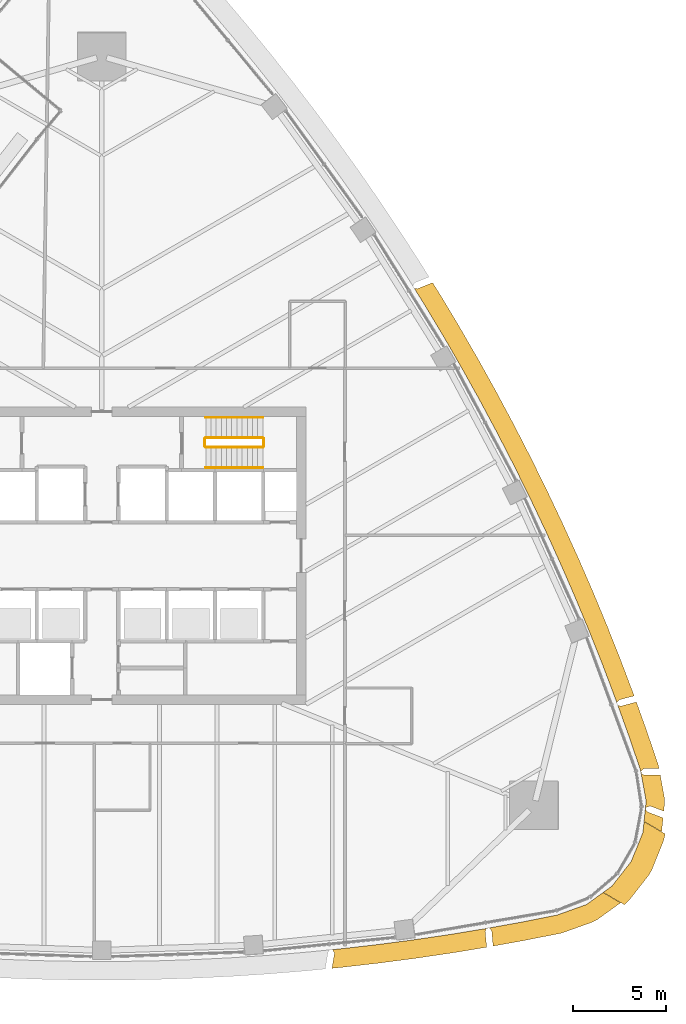
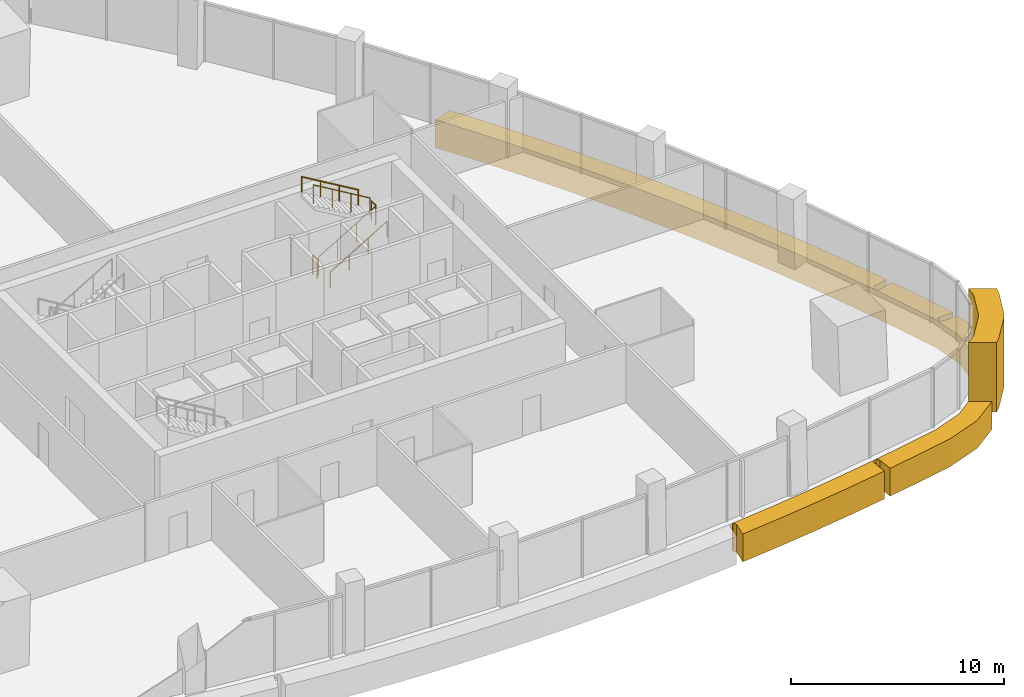
# One storey, part 16 of 18: 6 railings, 3 coverings.
"""IFC4 building model written with IfcOpenShell, lengths in metres."""

from ifc_helpers import new_model, si_unit, direction, frame, origin, origin_2d, place, context, subcontext, project, spatial, polyline, circle, outline, extrude, material, layer, layer_set, type_object, element, save


model = new_model("IFC4")

# Units and contexts
model_context = context("Model", 3, precision=1e-05, world=origin(), true_north=direction((0.0, 1.0)))
body_context = subcontext(model_context, "Body", "Model", "MODEL_VIEW")
ifc_project = project(units=[si_unit("LENGTHUNIT", "METRE"), si_unit("AREAUNIT", "SQUARE_METRE"), si_unit("VOLUMEUNIT", "CUBIC_METRE"), si_unit("PLANEANGLEUNIT", "RADIAN"), si_unit("MASSUNIT", "GRAM", prefix="KILO")], contexts=[model_context])

# Site, building, storey
site_placement = place(None, origin())
site = spatial("IfcSite", under=ifc_project, at=site_placement, CompositionType="ELEMENT")
building_placement = place(site_placement, origin())
building = spatial("IfcBuilding", under=site, at=building_placement, Name="Sierra Prisma Convention Tower", CompositionType="ELEMENT")
storey_placement = place(building_placement, frame((0.0, 0.0, 189.800048828125)))
storey = spatial("IfcBuildingStorey", under=building, at=storey_placement, Name="L42", CompositionType="ELEMENT", Elevation=189.800048828125)

# Coverings
ifc_material_1 = material(Name="Aluminium composite bronze anodised", Category="aluminium")
ifc_layer_1 = layer(ifc_material_1, 1.199951171875)
ifc_layer_set_1 = layer_set([ifc_layer_1], Name="Bronze corner pier")
covering_type_1 = type_object("IfcCoveringType", Name="Bronze corner pier", PredefinedType="CLADDING", material=ifc_layer_set_1)
covering_1_placement = place(storey_placement, frame((0.0, 0.0, -0.60009765625)))
element("IfcCovering", 1, at=covering_1_placement, inside=storey, type_object=covering_type_1, Name="Corner pier SE L42.1", PredefinedType="CLADDING", context=body_context, shape_type="SweptSolid", body=[
    extrude(outline(polyline([(29.2099609375, -14.323974609375), (30.34912109375, -14.981689453125), (30.34521484375, -15.019287109375), (30.2646484375, -15.345947265625), (29.6328125, -16.914306640625), (29.464599609375, -17.205810546875), (28.42236328125, -18.536865234375), (28.1796875, -18.77001953125), (28.149169921875, -18.792236328125), (27.010009765625, -18.134521484375), (27.4775390625, -17.797119140625), (28.519775390625, -16.4658203125), (29.151611328125, -14.897705078125), (29.2099609375, -14.323974609375)])), origin(), (0.0, 0.0, 1.0), 4.0),
])
ifc_material_2 = material(Name="Aluminium composite bronze anodised", Category="aluminium")
ifc_layer_2 = layer(ifc_material_2, 1.0)
ifc_layer_set_2 = layer_set([ifc_layer_2], Name="Bronze spandrel band")
covering_type_2 = type_object("IfcCoveringType", Name="Bronze spandrel band", PredefinedType="CLADDING", material=ifc_layer_set_2)
covering_2_placement = place(storey_placement, frame((0.0, 0.0, -1.60009765625)))
element("IfcCovering", 2, at=covering_2_placement, inside=storey, type_object=covering_type_2, Name="Spandrel band L42.4", PredefinedType="CLADDING", context=body_context, shape_type="SweptSolid", body=[
    extrude(outline(polyline([(21.2578125, 8.815673828125), (22.189208984375, 7.074462890625), (22.196533203125, 7.06005859375), (23.099609375, 5.3037109375), (23.106689453125, 5.289306640625), (23.98095703125, 3.5185546875), (23.988037109375, 3.50390625), (24.83349609375, 1.71923828125), (24.84033203125, 1.70458984375), (25.656494140625, -0.093505859375), (25.6630859375, -0.1083984375), (26.449951171875, -1.919677734375), (26.456298828125, -1.9345703125), (27.213623046875, -3.75830078125), (27.2197265625, -3.773193359375), (27.947509765625, -5.60888671875), (27.953369140625, -5.624267578125), (28.65087890625, -7.471435546875), (28.656494140625, -7.48681640625), (28.678466796875, -7.54736328125), (27.89208984375, -7.754638671875), (27.88720703125, -7.756103515625), (27.882568359375, -7.75830078125), (27.878173828125, -7.760498046875), (27.8740234375, -7.763427734375), (27.870361328125, -7.766845703125), (27.86669921875, -7.7705078125), (27.768798828125, -7.885009765625), (27.765869140625, -7.888671875), (27.76318359375, -7.892578125), (27.76123046875, -7.89697265625), (27.759521484375, -7.9013671875), (27.758056640625, -7.906005859375), (27.757080078125, -7.91064453125), (27.7568359375, -7.91552734375), (27.7568359375, -7.92041015625), (27.75732421875, -7.925048828125), (27.75830078125, -7.9296875), (27.759765625, -7.934326171875), (27.793701171875, -8.0283203125), (27.79541015625, -8.032958984375), (27.797607421875, -8.037109375), (27.80029296875, -8.041259765625), (27.803466796875, -8.044921875), (27.806884765625, -8.04833984375), (27.810546875, -8.051513671875), (27.814697265625, -8.05419921875), (27.81884765625, -8.056640625), (27.823486328125, -8.05859375), (27.827880859375, -8.059814453125), (27.955810546875, -8.093017578125), (27.9609375, -8.09423828125), (27.966064453125, -8.0947265625), (27.97119140625, -8.0947265625), (27.976318359375, -8.093994140625), (27.981201171875, -8.093017578125), (28.797119140625, -7.8779296875), (29.32421875, -9.34521484375), (29.32958984375, -9.360595703125), (29.966796875, -11.2294921875), (30.00439453125, -11.37353515625), (30.02001953125, -11.458984375), (29.228515625, -11.463134765625), (29.223876953125, -11.46337890625), (29.21923828125, -11.464111328125), (29.214599609375, -11.465087890625), (29.210205078125, -11.466796875), (29.2060546875, -11.468505859375), (29.201904296875, -11.470947265625), (29.1982421875, -11.4736328125), (29.072021484375, -11.57080078125), (29.068115234375, -11.57421875), (29.064697265625, -11.57763671875), (29.0615234375, -11.58154296875), (29.058837890625, -11.585693359375), (29.056640625, -11.590087890625), (29.054931640625, -11.5947265625), (29.0537109375, -11.599609375), (29.052734375, -11.6044921875), (29.052490234375, -11.609619140625), (29.052490234375, -11.614501953125), (29.05322265625, -11.619384765625), (29.071044921875, -11.7177734375), (29.072265625, -11.722900390625), (29.073974609375, -11.727783203125), (29.076171875, -11.732421875), (29.078857421875, -11.73681640625), (29.08203125, -11.740966796875), (29.08544921875, -11.74462890625), (29.08935546875, -11.748046875), (29.093505859375, -11.751220703125), (29.09814453125, -11.753662109375), (29.2080078125, -11.80810546875), (29.212158203125, -11.809814453125), (29.216552734375, -11.811279296875), (29.22119140625, -11.8125), (29.2255859375, -11.81298828125), (29.23046875, -11.813232421875), (30.08349609375, -11.80859375), (30.306640625, -13.036865234375), (30.317626953125, -13.317138671875), (30.272705078125, -13.75830078125), (29.5517578125, -13.484375), (29.547119140625, -13.482666015625), (29.5419921875, -13.481689453125), (29.537109375, -13.481201171875), (29.5322265625, -13.48095703125), (29.52734375, -13.4814453125), (29.5224609375, -13.482421875), (29.517578125, -13.48388671875), (29.35888671875, -13.538818359375), (29.3544921875, -13.54052734375), (29.350341796875, -13.54248046875), (29.34619140625, -13.545166015625), (29.342529296875, -13.548095703125), (29.339111328125, -13.55126953125), (29.3359375, -13.554931640625), (29.333251953125, -13.558837890625), (29.330810546875, -13.56298828125), (29.328857421875, -13.567138671875), (29.327392578125, -13.571533203125), (29.326171875, -13.576171875), (29.325439453125, -13.580810546875), (29.3154296875, -13.680419921875), (29.315185546875, -13.685302734375), (29.315185546875, -13.690185546875), (29.316162109375, -13.6953125), (29.3173828125, -13.699951171875), (29.31884765625, -13.70458984375), (29.321044921875, -13.708984375), (29.323486328125, -13.71337890625), (29.32666015625, -13.71728515625), (29.329833984375, -13.720947265625), (29.409912109375, -13.80029296875), (29.413818359375, -13.8037109375), (29.418212890625, -13.806640625), (29.422607421875, -13.809326171875), (29.427490234375, -13.811279296875), (30.236083984375, -14.118896484375), (30.160400390625, -14.861083984375), (29.2109375, -14.31298828125), (29.32275390625, -13.2158203125), (29.0205078125, -11.55224609375), (28.383056640625, -9.683349609375), (27.715576171875, -7.824951171875), (27.017822265625, -5.9775390625), (26.290283203125, -4.141845703125), (25.53271484375, -2.318115234375), (24.745849609375, -0.5068359375), (23.9296875, 1.291259765625), (23.08447265625, 3.075927734375), (22.210205078125, 4.846435546875), (21.307373046875, 6.602783203125), (20.3759765625, 8.343994140625), (19.41650390625, 10.070068359375), (18.42919921875, 11.7802734375), (17.414306640625, 13.47412109375), (16.837890625, 14.401611328125), (16.83837890625, 14.401123046875), (16.8427734375, 14.3984375), (16.847412109375, 14.396240234375), (16.852294921875, 14.39453125), (16.857177734375, 14.393310546875), (16.8623046875, 14.392578125), (16.984375, 14.38232421875), (16.989013671875, 14.382080078125), (16.99365234375, 14.382568359375), (16.998291015625, 14.38330078125), (17.002685546875, 14.38427734375), (17.007080078125, 14.3857421875), (17.82177734375, 14.712646484375), (18.263427734375, 14.001953125), (18.27197265625, 13.988037109375), (19.287109375, 12.294189453125), (19.295166015625, 12.2802734375), (20.28271484375, 10.570068359375), (20.29052734375, 10.555908203125), (21.25, 8.830078125), (21.2578125, 8.815673828125)])), origin(), (0.0, 0.0, 1.0), 1.60009765625),
])
covering_3_placement = place(storey_placement, frame((0.0, 0.0, -1.60009765625)))
element("IfcCovering", 3, at=covering_3_placement, inside=storey, type_object=covering_type_2, Name="Spandrel band L42.5", PredefinedType="CLADDING", context=body_context, shape_type="SweptSolid", body=[
    extrude(outline(polyline([(24.70849609375, -20.33740234375), (22.771240234375, -20.719970703125), (22.75537109375, -20.722900390625), (21.0791015625, -21.02587890625), (21.0048828125, -20.2158203125), (21.004150390625, -20.2109375), (21.0029296875, -20.2060546875), (21.001220703125, -20.201416015625), (20.9990234375, -20.19677734375), (20.99658203125, -20.1923828125), (20.993408203125, -20.1884765625), (20.896728515625, -20.072998046875), (20.8935546875, -20.0693359375), (20.889892578125, -20.066162109375), (20.88623046875, -20.063232421875), (20.882080078125, -20.060791015625), (20.877685546875, -20.058837890625), (20.873291015625, -20.05712890625), (20.86865234375, -20.055908203125), (20.864013671875, -20.05517578125), (20.859130859375, -20.054931640625), (20.854248046875, -20.05517578125), (20.849609375, -20.0556640625), (20.751220703125, -20.073486328125), (20.74658203125, -20.07470703125), (20.741943359375, -20.076171875), (20.7373046875, -20.078125), (20.733154296875, -20.08056640625), (20.729248046875, -20.083251953125), (20.7255859375, -20.08642578125), (20.72216796875, -20.090087890625), (20.71923828125, -20.09375), (20.716552734375, -20.097900390625), (20.71435546875, -20.102294921875), (20.660400390625, -20.222900390625), (20.65869140625, -20.2275390625), (20.6572265625, -20.232666015625), (20.656494140625, -20.237548828125), (20.656005859375, -20.24267578125), (20.65625, -20.247802734375), (20.733154296875, -21.0869140625), (18.847412109375, -21.396240234375), (18.831298828125, -21.398681640625), (16.877685546875, -21.686279296875), (16.861572265625, -21.688720703125), (14.903564453125, -21.944580078125), (14.887451171875, -21.946533203125), (12.92529296875, -22.170654296875), (12.9091796875, -22.17236328125), (12.401123046875, -22.22216796875), (12.5341796875, -21.4189453125), (12.534912109375, -21.4140625), (12.534912109375, -21.4091796875), (12.53466796875, -21.404296875), (12.53369140625, -21.3994140625), (12.5322265625, -21.39453125), (12.530517578125, -21.389892578125), (12.528076171875, -21.385498046875), (12.44287109375, -21.24072265625), (12.440185546875, -21.23681640625), (12.437255859375, -21.233154296875), (12.43408203125, -21.229736328125), (12.430419921875, -21.2265625), (12.426513671875, -21.223876953125), (12.422607421875, -21.221435546875), (12.418212890625, -21.219482421875), (12.413818359375, -21.218017578125), (12.4091796875, -21.217041015625), (12.4072265625, -21.216796875), (12.81201171875, -21.177001953125), (14.77392578125, -20.952880859375), (16.73193359375, -20.697021484375), (18.685546875, -20.4091796875), (20.63427734375, -20.08984375), (22.57763671875, -19.739013671875), (24.514892578125, -19.356201171875), (26.106689453125, -18.78662109375), (27.0009765625, -18.140869140625), (27.950439453125, -18.68896484375), (26.69189453125, -19.597412109375), (26.443603515625, -19.727783203125), (24.851806640625, -20.2978515625), (24.70849609375, -20.33740234375)])), origin(), (0.0, 0.0, 1.0), 1.60009765625),
])

# Railings
ifc_material_3 = material(Name="Stainless steel", Category="steel")
railing_type_1 = type_object("IfcRailingType", Name="Exit stair handrail", PredefinedType="HANDRAIL", material=ifc_material_3)
railing_1_placement = place(storey_placement, frame((5.60009765625, 4.75, 0.16650390625)))
element("IfcRailing", 4, at=railing_1_placement, inside=storey, type_object=railing_type_1, Name="L42 S4 stair handrail 1", PredefinedType="HANDRAIL", context=body_context, shape_type="SweptSolid", body=[
    extrude(circle(Radius=0.02392578125, at=origin_2d()), frame((0.0, 0.0, 0.8759765625), z_axis=(0.859260807169, 0.0, 0.511537745687), x_axis=(0.0, 1.0, 0.0)), (0.0, 0.0, 1.0), 3.584228515625),
    extrude(circle(Radius=0.02099609375, at=origin_2d()), origin(), (0.0, 0.0, 1.0), 0.851806640625),
    extrude(circle(Radius=0.02099609375, at=origin_2d()), frame((1.026611328125, 0.0, 0.611083984375)), (0.0, 0.0, 1.0), 0.851806640625),
    extrude(circle(Radius=0.02099609375, at=origin_2d()), frame((2.05322265625, 0.0, 1.222412109375)), (0.0, 0.0, 1.0), 0.851806640625),
    extrude(circle(Radius=0.02099609375, at=origin_2d()), frame((3.079833984375, 0.0, 1.83349609375)), (0.0, 0.0, 1.0), 0.851806640625),
])
railing_2_placement = place(storey_placement, frame((8.679931640625, 7.449951171875, 2.16650390625)))
element("IfcRailing", 5, at=railing_2_placement, inside=storey, type_object=railing_type_1, Name="L42 S4 stair handrail 2", PredefinedType="HANDRAIL", context=body_context, shape_type="SweptSolid", body=[
    extrude(circle(Radius=0.02392578125, at=origin_2d()), frame((0.0, 0.0, 0.8759765625), z_axis=(-0.859260807169, 0.0, 0.511537745687), x_axis=(0.0, -1.0, 0.0)), (0.0, 0.0, 1.0), 3.584228515625),
    extrude(circle(Radius=0.02099609375, at=origin_2d()), origin(), (0.0, 0.0, 1.0), 0.851806640625),
    extrude(circle(Radius=0.02099609375, at=origin_2d()), frame((-1.026611328125, 0.0, 0.611083984375)), (0.0, 0.0, 1.0), 0.851806640625),
    extrude(circle(Radius=0.02099609375, at=origin_2d()), frame((-2.05322265625, 0.0, 1.222412109375)), (0.0, 0.0, 1.0), 0.851806640625),
    extrude(circle(Radius=0.02099609375, at=origin_2d()), frame((-3.079833984375, 0.0, 1.83349609375)), (0.0, 0.0, 1.0), 0.851806640625),
])
ifc_material_4 = material(Name="Stainless steel", Category="steel")
railing_type_2 = type_object("IfcRailingType", Name="Stair guard 1100", PredefinedType="GUARDRAIL", material=ifc_material_4)
railing_3_placement = place(storey_placement, frame((5.60009765625, 5.85009765625, 0.16650390625)))
element("IfcRailing", 6, at=railing_3_placement, inside=storey, type_object=railing_type_2, Name="L42 S4 stair guard 1", PredefinedType="GUARDRAIL", context=body_context, shape_type="SweptSolid", body=[
    extrude(circle(Radius=0.02392578125, at=origin_2d()), frame((0.0, 0.0, 1.076171875), z_axis=(0.859260807169, 0.0, 0.511537745687), x_axis=(0.0, 1.0, 0.0)), (0.0, 0.0, 1.0), 3.584228515625),
    extrude(circle(Radius=0.02099609375, at=origin_2d()), origin(), (0.0, 0.0, 1.0), 1.052001953125),
    extrude(circle(Radius=0.02099609375, at=origin_2d()), frame((1.026611328125, 0.0, 0.611083984375)), (0.0, 0.0, 1.0), 1.052001953125),
    extrude(circle(Radius=0.02099609375, at=origin_2d()), frame((2.05322265625, 0.0, 1.222412109375)), (0.0, 0.0, 1.0), 1.052001953125),
    extrude(circle(Radius=0.02099609375, at=origin_2d()), frame((3.079833984375, 0.0, 1.83349609375)), (0.0, 0.0, 1.0), 1.052001953125),
])
railing_4_placement = place(storey_placement, frame((8.72998046875, 5.89990234375, 2.0)))
element("IfcRailing", 7, at=railing_4_placement, inside=storey, type_object=railing_type_2, Name="L42 S4 stair guard 2", PredefinedType="GUARDRAIL", context=body_context, shape_type="SweptSolid", body=[
    extrude(circle(Radius=0.02392578125, at=origin_2d()), frame((0.0, 0.0, 1.076171875), z_axis=(0.0, 1.0, 0.0), x_axis=(-1.0, 0.0, 0.0)), (0.0, 0.0, 1.0), 0.400146484375),
    extrude(circle(Radius=0.02099609375, at=origin_2d()), origin(), (0.0, 0.0, 1.0), 1.052001953125),
    extrude(circle(Radius=0.02099609375, at=origin_2d()), frame((0.0, 0.400146484375, 0.0)), (0.0, 0.0, 1.0), 1.052001953125),
])
railing_5_placement = place(storey_placement, frame((8.679931640625, 6.35009765625, 2.16650390625)))
element("IfcRailing", 8, at=railing_5_placement, inside=storey, type_object=railing_type_2, Name="L42 S4 stair guard 3", PredefinedType="GUARDRAIL", context=body_context, shape_type="SweptSolid", body=[
    extrude(circle(Radius=0.02392578125, at=origin_2d()), frame((0.0, 0.0, 1.076171875), z_axis=(-0.859260807169, 0.0, 0.511537745687), x_axis=(0.0, -1.0, 0.0)), (0.0, 0.0, 1.0), 3.584228515625),
    extrude(circle(Radius=0.02099609375, at=origin_2d()), origin(), (0.0, 0.0, 1.0), 1.052001953125),
    extrude(circle(Radius=0.02099609375, at=origin_2d()), frame((-1.026611328125, 0.0, 0.611083984375)), (0.0, 0.0, 1.0), 1.052001953125),
    extrude(circle(Radius=0.02099609375, at=origin_2d()), frame((-2.05322265625, 0.0, 1.222412109375)), (0.0, 0.0, 1.0), 1.052001953125),
    extrude(circle(Radius=0.02099609375, at=origin_2d()), frame((-3.079833984375, 0.0, 1.83349609375)), (0.0, 0.0, 1.0), 1.052001953125),
])
railing_6_placement = place(storey_placement, frame((5.550048828125, 5.89990234375, 0.0)))
element("IfcRailing", 9, at=railing_6_placement, inside=storey, type_object=railing_type_2, Name="L42 S4 stair guard 4", PredefinedType="GUARDRAIL", context=body_context, shape_type="SweptSolid", body=[
    extrude(circle(Radius=0.02392578125, at=origin_2d()), frame((0.0, 0.0, 1.076171875), z_axis=(0.0, 1.0, 0.0), x_axis=(-1.0, 0.0, 0.0)), (0.0, 0.0, 1.0), 0.400146484375),
    extrude(circle(Radius=0.02099609375, at=origin_2d()), origin(), (0.0, 0.0, 1.0), 1.052001953125),
    extrude(circle(Radius=0.02099609375, at=origin_2d()), frame((0.0, 0.400146484375, 0.0)), (0.0, 0.0, 1.0), 1.052001953125),
])

save(model, "model.ifc")
